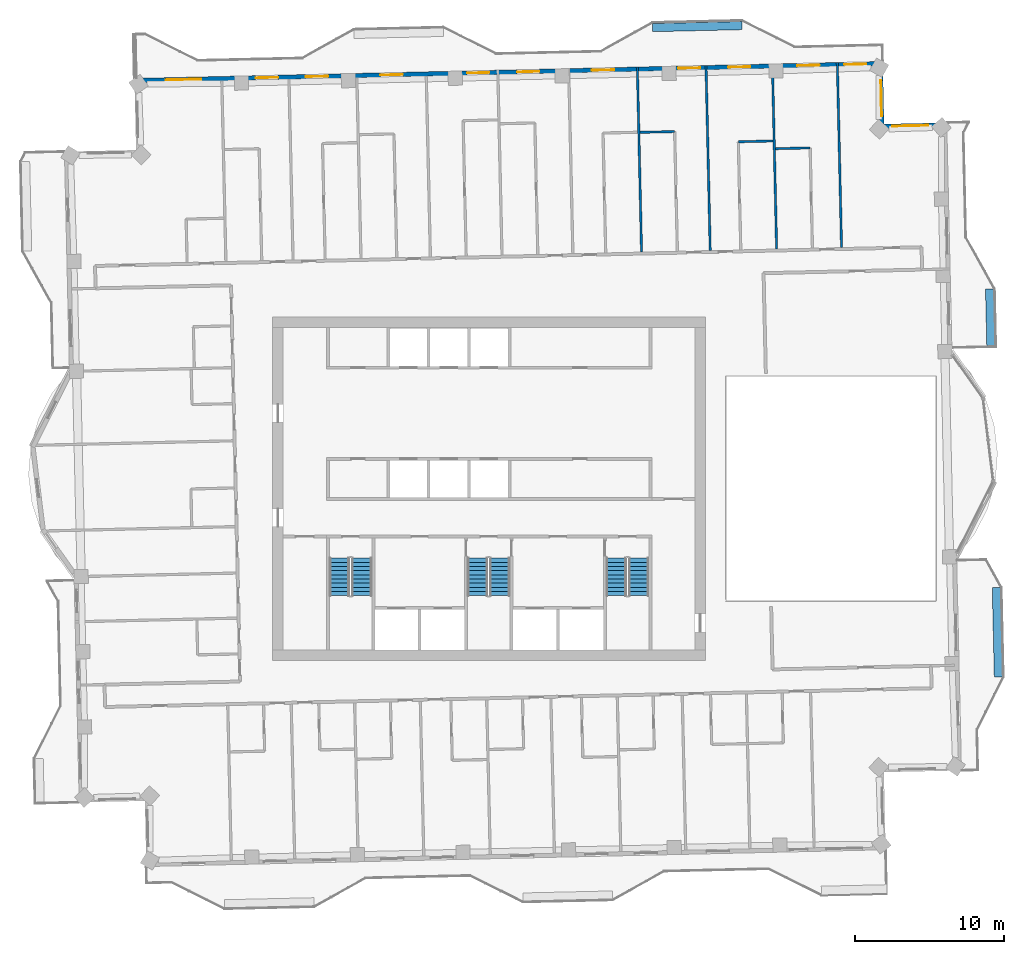
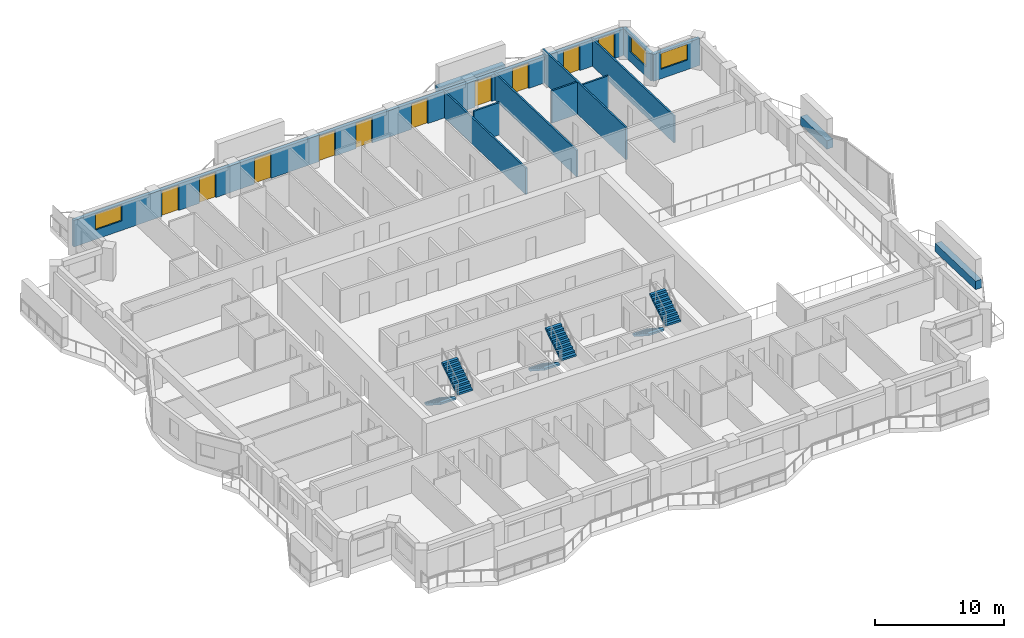
# One storey, part 14 of 18: 13 walls, 10 doors, 6 stair flights, 3 windows, 13 openings, 3 elements without a shape of their own.
"""IFC4 building model written with IfcOpenShell, lengths in metres."""

from ifc_helpers import new_model, si_unit, direction, frame, frame_2d, origin, place, context, subcontext, project, spatial, polyline, rectangle, outline, extrude, material, layer, layer_set, type_object, element, fill, aggregate, save


model = new_model("IFC4")

# Units and contexts
model_context = context("Model", 3, precision=1e-05, world=origin(), true_north=direction((0.0, 1.0)))
body_context = subcontext(model_context, "Body", "Model", "MODEL_VIEW")
ifc_project = project(units=[si_unit("LENGTHUNIT", "METRE"), si_unit("AREAUNIT", "SQUARE_METRE"), si_unit("VOLUMEUNIT", "CUBIC_METRE"), si_unit("PLANEANGLEUNIT", "RADIAN"), si_unit("MASSUNIT", "GRAM", prefix="KILO")], contexts=[model_context])

# Site, building, storey
site_placement = place(None, origin())
site = spatial("IfcSite", under=ifc_project, at=site_placement, CompositionType="ELEMENT")
building_placement = place(site_placement, origin())
building = spatial("IfcBuilding", under=site, at=building_placement, Name="Mangrove Gate Tower", CompositionType="ELEMENT")
storey_placement = place(building_placement, frame((0.0, 0.0, 287.10009765625)))
storey = spatial("IfcBuildingStorey", under=building, at=storey_placement, Name="L73", CompositionType="ELEMENT", Elevation=287.10009765625)

# Wall, opening, window
ifc_material_1 = material(Name="Limestone", Category="masonry")
ifc_layer_1 = layer(ifc_material_1, 0.0400390625, Name="Limestone cladding")
ifc_material_2 = material(Name="Ventilated air gap")
ifc_layer_2 = layer(ifc_material_2, 0.0400390625, Name="Ventilated cavity")
ifc_material_3 = material(Name="Mineral wool insulation")
ifc_layer_3 = layer(ifc_material_3, 0.06005859375, Name="Insulation")
ifc_material_4 = material(Name="Breather membrane")
ifc_layer_4 = layer(ifc_material_4, 0.001953125, Name="Breather membrane")
ifc_material_5 = material(Name="Concrete C20/25 blockwork", Category="masonry")
ifc_layer_5 = layer(ifc_material_5, 0.14990234375, Name="Blockwork backing wall")
ifc_material_6 = material(Name="Gypsum plaster")
ifc_layer_6 = layer(ifc_material_6, 0.008056640625, Name="Internal plaster")
ifc_layer_set_1 = layer_set([ifc_layer_1, ifc_layer_2, ifc_layer_3, ifc_layer_4, ifc_layer_5, ifc_layer_6], Name="External wall 300 limestone cladding")
wall_type_1 = type_object("IfcWallType", Name="External wall 300 limestone cladding", PredefinedType="SOLIDWALL", material=ifc_layer_set_1)
wall_1_placement = place(storey_placement, frame((30.510009765625, 24.362060546875, 0.0), z_axis=(0.0, 0.0, 1.0), x_axis=(-0.999739037152, -0.022844202663, 0.0)))
wall_1 = element("IfcWall", 1, at=wall_1_placement, inside=storey, type_object=wall_type_1, Name="WALL-L73-N3", PredefinedType="SOLIDWALL", context=body_context, shape_type="SweptSolid", body=[
    extrude(rectangle(XDim=4.199951171875, YDim=0.300048828125, at=frame_2d((2.10009765625, 0.0))), origin(), (0.0, 0.0, 1.0), 2.5498046875),
])
opening_1_placement = place(wall_1_placement, frame((1.10009765625, 0.0, 0.89990234375)))
opening_1 = element("IfcOpeningElement", 2, at=opening_1_placement, cuts=wall_1, Name="Opening W2", PredefinedType="OPENING", context=body_context, shape_type="SweptSolid", body=[
    extrude(rectangle(XDim=2.39990234375, YDim=1.5, at=frame_2d((1.199951171875, 0.75))), frame((0.0, 0.159912109375, 0.0), z_axis=(0.0, -1.0, 0.0), x_axis=(1.0, 0.0, 0.0)), (0.0, 0.0, 1.0), 0.320068359375),
])
ifc_material_7 = material(Name="Aluminium frame with double-glazed low-e glass", Category="aluminium")
window_type = type_object("IfcWindowType", Name="Corner room window 2400x1500", PartitioningType="DOUBLE_PANEL_VERTICAL", PredefinedType="WINDOW", material=ifc_material_7)
window_1_placement = place(opening_1_placement, origin())
window_1 = element("IfcWindow", 3, at=window_1_placement, inside=storey, type_object=window_type, Name="WIN-L73-N3-1", OverallHeight=1.5, OverallWidth=2.39990234375, PartitioningType="DOUBLE_PANEL_VERTICAL", PredefinedType="WINDOW", context=body_context, shape_type="SweptSolid", body=[
    extrude(rectangle(XDim=2.39990234375, YDim=1.5, at=frame_2d((1.199951171875, 0.75))), frame((0.0, 0.030029296875, 0.0), z_axis=(0.0, -1.0, 0.0), x_axis=(1.0, 0.0, 0.0)), (0.0, 0.0, 1.0), 0.06005859375),
])
fill(opening_1, window_1)

wall_2_placement = place(storey_placement, frame((26.31103515625, 24.26611328125, 0.0), z_axis=(0.0, 0.0, 1.0), x_axis=(-0.022611811187, 0.999744320311, 0.0)))
wall_2 = element("IfcWall", 4, at=wall_2_placement, inside=storey, type_object=wall_type_1, Name="WALL-L73-E4", PredefinedType="SOLIDWALL", context=body_context, shape_type="SweptSolid", body=[
    extrude(rectangle(XDim=4.199951171875, YDim=0.300048828125, at=frame_2d((2.10009765625, 0.0))), origin(), (0.0, 0.0, 1.0), 2.5498046875),
])
opening_2_placement = place(wall_2_placement, frame((0.68798828125, 0.0, 0.89990234375)))
opening_2 = element("IfcOpeningElement", 5, at=opening_2_placement, cuts=wall_2, Name="Opening W2", PredefinedType="OPENING", context=body_context, shape_type="SweptSolid", body=[
    extrude(rectangle(XDim=2.39990234375, YDim=1.5, at=frame_2d((1.199951171875, 0.75))), frame((0.0, 0.159912109375, 0.0), z_axis=(0.0, -1.0, 0.0), x_axis=(1.0, 0.0, 0.0)), (0.0, 0.0, 1.0), 0.320068359375),
])
window_2_placement = place(opening_2_placement, origin())
window_2 = element("IfcWindow", 6, at=window_2_placement, inside=storey, type_object=window_type, Name="WIN-L73-E4-1", OverallHeight=1.5, OverallWidth=2.39990234375, PartitioningType="DOUBLE_PANEL_VERTICAL", PredefinedType="WINDOW", context=body_context, shape_type="SweptSolid", body=[
    extrude(rectangle(XDim=2.39990234375, YDim=1.5, at=frame_2d((1.199951171875, 0.75))), frame((0.0, 0.030029296875, 0.0), z_axis=(0.0, -1.0, 0.0), x_axis=(1.0, 0.0, 0.0)), (0.0, 0.0, 1.0), 0.06005859375),
])
fill(opening_2, window_2)

# Wall, openings, doors, window
wall_3_placement = place(storey_placement, frame((26.216064453125, 28.465087890625, 0.0), z_axis=(0.0, 0.0, 1.0), x_axis=(-0.999742843677, -0.022677004157, 0.0)))
wall_3 = element("IfcWall", 7, at=wall_3_placement, inside=storey, type_object=wall_type_1, Name="WALL-L73-N5", PredefinedType="SOLIDWALL", context=body_context, shape_type="SweptSolid", body=[
    extrude(rectangle(XDim=49.835693359375, YDim=0.300048828125, at=frame_2d((24.91796875, 0.0))), origin(), (0.0, 0.0, 1.0), 2.5),
])
opening_3_placement = place(wall_3_placement, frame((0.93798828125, 0.0, 0.0)))
opening_3 = element("IfcOpeningElement", 8, at=opening_3_placement, cuts=wall_3, Name="Opening BD1", PredefinedType="OPENING", context=body_context, shape_type="SweptSolid", body=[
    extrude(rectangle(XDim=1.5, YDim=2.39990234375, at=frame_2d((0.75, 1.199951171875))), frame((0.0, 0.159912109375, 0.0), z_axis=(0.0, -1.0, 0.0), x_axis=(1.0, 0.0, 0.0)), (0.0, 0.0, 1.0), 0.320068359375),
])
opening_4_placement = place(wall_3_placement, frame((4.0869140625, 0.0, 0.0)))
opening_4 = element("IfcOpeningElement", 9, at=opening_4_placement, cuts=wall_3, Name="Opening BD1", PredefinedType="OPENING", context=body_context, shape_type="SweptSolid", body=[
    extrude(rectangle(XDim=1.5, YDim=2.39990234375, at=frame_2d((0.75, 1.199951171875))), frame((0.0, 0.159912109375, 0.0), z_axis=(0.0, -1.0, 0.0), x_axis=(1.0, 0.0, 0.0)), (0.0, 0.0, 1.0), 0.320068359375),
])
opening_5_placement = place(wall_3_placement, frame((8.7109375, 0.0, 0.0)))
opening_5 = element("IfcOpeningElement", 10, at=opening_5_placement, cuts=wall_3, Name="Opening BD1", PredefinedType="OPENING", context=body_context, shape_type="SweptSolid", body=[
    extrude(rectangle(XDim=1.5, YDim=2.39990234375, at=frame_2d((0.75, 1.199951171875))), frame((0.0, 0.159912109375, 0.0), z_axis=(0.0, -1.0, 0.0), x_axis=(1.0, 0.0, 0.0)), (0.0, 0.0, 1.0), 0.320068359375),
])
opening_6_placement = place(wall_3_placement, frame((12.06689453125, 0.0, 0.0)))
opening_6 = element("IfcOpeningElement", 11, at=opening_6_placement, cuts=wall_3, Name="Opening BD1", PredefinedType="OPENING", context=body_context, shape_type="SweptSolid", body=[
    extrude(rectangle(XDim=1.5, YDim=2.39990234375, at=frame_2d((0.75, 1.199951171875))), frame((0.0, 0.159912109375, 0.0), z_axis=(0.0, -1.0, 0.0), x_axis=(1.0, 0.0, 0.0)), (0.0, 0.0, 1.0), 0.320068359375),
])
opening_7_placement = place(wall_3_placement, frame((17.8359375, 0.0, 0.0)))
opening_7 = element("IfcOpeningElement", 12, at=opening_7_placement, cuts=wall_3, Name="Opening BD1", PredefinedType="OPENING", context=body_context, shape_type="SweptSolid", body=[
    extrude(rectangle(XDim=1.5, YDim=2.39990234375, at=frame_2d((0.75, 1.199951171875))), frame((0.0, 0.159912109375, 0.0), z_axis=(0.0, -1.0, 0.0), x_axis=(1.0, 0.0, 0.0)), (0.0, 0.0, 1.0), 0.320068359375),
])
opening_8_placement = place(wall_3_placement, frame((22.84912109375, 0.0, 0.0)))
opening_8 = element("IfcOpeningElement", 13, at=opening_8_placement, cuts=wall_3, Name="Opening BD1", PredefinedType="OPENING", context=body_context, shape_type="SweptSolid", body=[
    extrude(rectangle(XDim=1.5, YDim=2.39990234375, at=frame_2d((0.75, 1.199951171875))), frame((0.0, 0.159912109375, 0.0), z_axis=(0.0, -1.0, 0.0), x_axis=(1.0, 0.0, 0.0)), (0.0, 0.0, 1.0), 0.320068359375),
])
opening_9_placement = place(wall_3_placement, frame((26.205078125, 0.0, 0.0)))
opening_9 = element("IfcOpeningElement", 14, at=opening_9_placement, cuts=wall_3, Name="Opening BD1", PredefinedType="OPENING", context=body_context, shape_type="SweptSolid", body=[
    extrude(rectangle(XDim=1.5, YDim=2.39990234375, at=frame_2d((0.75, 1.199951171875))), frame((0.0, 0.159912109375, 0.0), z_axis=(0.0, -1.0, 0.0), x_axis=(1.0, 0.0, 0.0)), (0.0, 0.0, 1.0), 0.320068359375),
])
opening_10_placement = place(wall_3_placement, frame((32.010986328125, 0.0, 0.0)))
opening_10 = element("IfcOpeningElement", 15, at=opening_10_placement, cuts=wall_3, Name="Opening BD1", PredefinedType="OPENING", context=body_context, shape_type="SweptSolid", body=[
    extrude(rectangle(XDim=1.5, YDim=2.39990234375, at=frame_2d((0.75, 1.199951171875))), frame((0.0, 0.159912109375, 0.0), z_axis=(0.0, -1.0, 0.0), x_axis=(1.0, 0.0, 0.0)), (0.0, 0.0, 1.0), 0.320068359375),
])
opening_11_placement = place(wall_3_placement, frame((37.010986328125, 0.0, 0.0)))
opening_11 = element("IfcOpeningElement", 16, at=opening_11_placement, cuts=wall_3, Name="Opening BD1", PredefinedType="OPENING", context=body_context, shape_type="SweptSolid", body=[
    extrude(rectangle(XDim=1.5, YDim=2.39990234375, at=frame_2d((0.75, 1.199951171875))), frame((0.0, 0.159912109375, 0.0), z_axis=(0.0, -1.0, 0.0), x_axis=(1.0, 0.0, 0.0)), (0.0, 0.0, 1.0), 0.320068359375),
])
opening_12_placement = place(wall_3_placement, frame((40.366943359375, 0.0, 0.0)))
opening_12 = element("IfcOpeningElement", 17, at=opening_12_placement, cuts=wall_3, Name="Opening BD1", PredefinedType="OPENING", context=body_context, shape_type="SweptSolid", body=[
    extrude(rectangle(XDim=1.5, YDim=2.39990234375, at=frame_2d((0.75, 1.199951171875))), frame((0.0, 0.159912109375, 0.0), z_axis=(0.0, -1.0, 0.0), x_axis=(1.0, 0.0, 0.0)), (0.0, 0.0, 1.0), 0.320068359375),
])
opening_13_placement = place(wall_3_placement, frame((45.4990234375, 0.0, 0.89990234375)))
opening_13 = element("IfcOpeningElement", 18, at=opening_13_placement, cuts=wall_3, Name="Opening W2", PredefinedType="OPENING", context=body_context, shape_type="SweptSolid", body=[
    extrude(rectangle(XDim=2.39990234375, YDim=1.5, at=frame_2d((1.199951171875, 0.75))), frame((0.0, 0.159912109375, 0.0), z_axis=(0.0, -1.0, 0.0), x_axis=(1.0, 0.0, 0.0)), (0.0, 0.0, 1.0), 0.320068359375),
])
ifc_material_8 = material(Name="Aluminium frame with laminated clear glass", Category="aluminium")
door_type = type_object("IfcDoorType", Name="Balcony sliding door 1500x2400", OperationType="SLIDING_TO_LEFT", PredefinedType="DOOR", material=ifc_material_8)
door_1_placement = place(opening_3_placement, origin())
door_1 = element("IfcDoor", 19, at=door_1_placement, inside=storey, type_object=door_type, Name="DOOR-L73-N5-1", OperationType="SLIDING_TO_LEFT", OverallHeight=2.39990234375, OverallWidth=1.5, PredefinedType="DOOR", context=body_context, shape_type="SweptSolid", body=[
    extrude(rectangle(XDim=1.5, YDim=2.39990234375, at=frame_2d((0.75, 1.199951171875))), frame((0.0, 0.02490234375, 0.0), z_axis=(0.0, -1.0, 0.0), x_axis=(1.0, 0.0, 0.0)), (0.0, 0.0, 1.0), 0.050048828125),
])
fill(opening_3, door_1)
door_2_placement = place(opening_4_placement, origin())
door_2 = element("IfcDoor", 20, at=door_2_placement, inside=storey, type_object=door_type, Name="DOOR-L73-N5-2", OperationType="SLIDING_TO_LEFT", OverallHeight=2.39990234375, OverallWidth=1.5, PredefinedType="DOOR", context=body_context, shape_type="SweptSolid", body=[
    extrude(rectangle(XDim=1.5, YDim=2.39990234375, at=frame_2d((0.75, 1.199951171875))), frame((0.0, 0.02490234375, 0.0), z_axis=(0.0, -1.0, 0.0), x_axis=(1.0, 0.0, 0.0)), (0.0, 0.0, 1.0), 0.050048828125),
])
fill(opening_4, door_2)
door_3_placement = place(opening_5_placement, origin())
door_3 = element("IfcDoor", 21, at=door_3_placement, inside=storey, type_object=door_type, Name="DOOR-L73-N5-3", OperationType="SLIDING_TO_LEFT", OverallHeight=2.39990234375, OverallWidth=1.5, PredefinedType="DOOR", context=body_context, shape_type="SweptSolid", body=[
    extrude(rectangle(XDim=1.5, YDim=2.39990234375, at=frame_2d((0.75, 1.199951171875))), frame((0.0, 0.02490234375, 0.0), z_axis=(0.0, -1.0, 0.0), x_axis=(1.0, 0.0, 0.0)), (0.0, 0.0, 1.0), 0.050048828125),
])
fill(opening_5, door_3)
door_4_placement = place(opening_6_placement, origin())
door_4 = element("IfcDoor", 22, at=door_4_placement, inside=storey, type_object=door_type, Name="DOOR-L73-N5-4", OperationType="SLIDING_TO_LEFT", OverallHeight=2.39990234375, OverallWidth=1.5, PredefinedType="DOOR", context=body_context, shape_type="SweptSolid", body=[
    extrude(rectangle(XDim=1.5, YDim=2.39990234375, at=frame_2d((0.75, 1.199951171875))), frame((0.0, 0.02490234375, 0.0), z_axis=(0.0, -1.0, 0.0), x_axis=(1.0, 0.0, 0.0)), (0.0, 0.0, 1.0), 0.050048828125),
])
fill(opening_6, door_4)
door_5_placement = place(opening_7_placement, origin())
door_5 = element("IfcDoor", 23, at=door_5_placement, inside=storey, type_object=door_type, Name="DOOR-L73-N5-5", OperationType="SLIDING_TO_LEFT", OverallHeight=2.39990234375, OverallWidth=1.5, PredefinedType="DOOR", context=body_context, shape_type="SweptSolid", body=[
    extrude(rectangle(XDim=1.5, YDim=2.39990234375, at=frame_2d((0.75, 1.199951171875))), frame((0.0, 0.02490234375, 0.0), z_axis=(0.0, -1.0, 0.0), x_axis=(1.0, 0.0, 0.0)), (0.0, 0.0, 1.0), 0.050048828125),
])
fill(opening_7, door_5)
door_6_placement = place(opening_8_placement, origin())
door_6 = element("IfcDoor", 24, at=door_6_placement, inside=storey, type_object=door_type, Name="DOOR-L73-N5-6", OperationType="SLIDING_TO_LEFT", OverallHeight=2.39990234375, OverallWidth=1.5, PredefinedType="DOOR", context=body_context, shape_type="SweptSolid", body=[
    extrude(rectangle(XDim=1.5, YDim=2.39990234375, at=frame_2d((0.75, 1.199951171875))), frame((0.0, 0.02490234375, 0.0), z_axis=(0.0, -1.0, 0.0), x_axis=(1.0, 0.0, 0.0)), (0.0, 0.0, 1.0), 0.050048828125),
])
fill(opening_8, door_6)
door_7_placement = place(opening_9_placement, origin())
door_7 = element("IfcDoor", 25, at=door_7_placement, inside=storey, type_object=door_type, Name="DOOR-L73-N5-7", OperationType="SLIDING_TO_LEFT", OverallHeight=2.39990234375, OverallWidth=1.5, PredefinedType="DOOR", context=body_context, shape_type="SweptSolid", body=[
    extrude(rectangle(XDim=1.5, YDim=2.39990234375, at=frame_2d((0.75, 1.199951171875))), frame((0.0, 0.02490234375, 0.0), z_axis=(0.0, -1.0, 0.0), x_axis=(1.0, 0.0, 0.0)), (0.0, 0.0, 1.0), 0.050048828125),
])
fill(opening_9, door_7)
door_8_placement = place(opening_10_placement, origin())
door_8 = element("IfcDoor", 26, at=door_8_placement, inside=storey, type_object=door_type, Name="DOOR-L73-N5-8", OperationType="SLIDING_TO_LEFT", OverallHeight=2.39990234375, OverallWidth=1.5, PredefinedType="DOOR", context=body_context, shape_type="SweptSolid", body=[
    extrude(rectangle(XDim=1.5, YDim=2.39990234375, at=frame_2d((0.75, 1.199951171875))), frame((0.0, 0.02490234375, 0.0), z_axis=(0.0, -1.0, 0.0), x_axis=(1.0, 0.0, 0.0)), (0.0, 0.0, 1.0), 0.050048828125),
])
fill(opening_10, door_8)
door_9_placement = place(opening_11_placement, origin())
door_9 = element("IfcDoor", 27, at=door_9_placement, inside=storey, type_object=door_type, Name="DOOR-L73-N5-9", OperationType="SLIDING_TO_LEFT", OverallHeight=2.39990234375, OverallWidth=1.5, PredefinedType="DOOR", context=body_context, shape_type="SweptSolid", body=[
    extrude(rectangle(XDim=1.5, YDim=2.39990234375, at=frame_2d((0.75, 1.199951171875))), frame((0.0, 0.02490234375, 0.0), z_axis=(0.0, -1.0, 0.0), x_axis=(1.0, 0.0, 0.0)), (0.0, 0.0, 1.0), 0.050048828125),
])
fill(opening_11, door_9)
door_10_placement = place(opening_12_placement, origin())
door_10 = element("IfcDoor", 28, at=door_10_placement, inside=storey, type_object=door_type, Name="DOOR-L73-N5-10", OperationType="SLIDING_TO_LEFT", OverallHeight=2.39990234375, OverallWidth=1.5, PredefinedType="DOOR", context=body_context, shape_type="SweptSolid", body=[
    extrude(rectangle(XDim=1.5, YDim=2.39990234375, at=frame_2d((0.75, 1.199951171875))), frame((0.0, 0.02490234375, 0.0), z_axis=(0.0, -1.0, 0.0), x_axis=(1.0, 0.0, 0.0)), (0.0, 0.0, 1.0), 0.050048828125),
])
fill(opening_12, door_10)
window_3_placement = place(opening_13_placement, origin())
window_3 = element("IfcWindow", 29, at=window_3_placement, inside=storey, type_object=window_type, Name="WIN-L73-N5-11", OverallHeight=1.5, OverallWidth=2.39990234375, PartitioningType="DOUBLE_PANEL_VERTICAL", PredefinedType="WINDOW", context=body_context, shape_type="SweptSolid", body=[
    extrude(rectangle(XDim=2.39990234375, YDim=1.5, at=frame_2d((1.199951171875, 0.75))), frame((0.0, 0.030029296875, 0.0), z_axis=(0.0, -1.0, 0.0), x_axis=(1.0, 0.0, 0.0)), (0.0, 0.0, 1.0), 0.06005859375),
])
fill(opening_13, window_3)

# Walls
ifc_material_9 = material(Name="Gypsum board on steel stud, EI 60", Category="steel")
ifc_layer_7 = layer(ifc_material_9, 0.14990234375)
ifc_layer_set_2 = layer_set([ifc_layer_7], Name="Party wall 150 EI 60")
wall_type_2 = type_object("IfcWallType", Name="Party wall 150 EI 60", PredefinedType="PARTITIONING", material=ifc_layer_set_2)
wall_4_placement = place(storey_placement, frame((10.2099609375, 15.84912109375, 0.0), z_axis=(0.0, 0.0, 1.0), x_axis=(-0.022661475803, 0.999743195783, 0.0)))
element("IfcWall", 30, at=wall_4_placement, inside=storey, type_object=wall_type_2, Name="WALL-L73-071", PredefinedType="PARTITIONING", context=body_context, shape_type="SweptSolid", body=[
    extrude(rectangle(XDim=12.400146484375, YDim=0.14990234375, at=frame_2d((6.2001953125, 0.0))), origin(), (0.0, 0.0, 1.0), 2.5),
])
wall_5_placement = place(storey_placement, frame((14.80908203125, 15.952880859375, 0.0), z_axis=(0.0, 0.0, 1.0), x_axis=(-0.022661029756, 0.999743205894, 0.0)))
element("IfcWall", 31, at=wall_5_placement, inside=storey, type_object=wall_type_2, Name="WALL-L73-073", PredefinedType="PARTITIONING", context=body_context, shape_type="SweptSolid", body=[
    extrude(rectangle(XDim=12.400390625, YDim=0.14990234375, at=frame_2d((6.2001953125, 0.0))), origin(), (0.0, 0.0, 1.0), 2.5),
])
wall_6_placement = place(storey_placement, frame((19.258056640625, 16.053955078125, 0.0), z_axis=(0.0, 0.0, 1.0), x_axis=(-0.022740189192, 0.999741408463, 0.0)))
element("IfcWall", 32, at=wall_6_placement, inside=storey, type_object=wall_type_2, Name="WALL-L73-075", PredefinedType="PARTITIONING", context=body_context, shape_type="SweptSolid", body=[
    extrude(rectangle(XDim=12.400146484375, YDim=0.14990234375, at=frame_2d((6.2001953125, 0.0))), origin(), (0.0, 0.0, 1.0), 3.0498046875),
])
wall_7_placement = place(storey_placement, frame((23.60693359375, 16.153076171875, 0.0), z_axis=(0.0, 0.0, 1.0), x_axis=(-0.022740189192, 0.999741408463, 0.0)))
element("IfcWall", 33, at=wall_7_placement, inside=storey, type_object=wall_type_2, Name="WALL-L73-077", PredefinedType="PARTITIONING", context=body_context, shape_type="SweptSolid", body=[
    extrude(rectangle(XDim=12.400146484375, YDim=0.14990234375, at=frame_2d((6.2001953125, 0.0))), origin(), (0.0, 0.0, 1.0), 2.5498046875),
])
wall_8_placement = place(storey_placement, frame((19.181884765625, 22.77392578125, 0.0), z_axis=(0.0, 0.0, 1.0), x_axis=(0.99974053329, 0.022778632478, 0.0)))
element("IfcWall", 34, at=wall_8_placement, inside=storey, type_object=wall_type_2, Name="WALL-L73-079", PredefinedType="PARTITIONING", context=body_context, shape_type="SweptSolid", body=[
    extrude(rectangle(XDim=2.32568359375, YDim=0.14990234375, at=frame_2d((1.162841796875, 0.0))), origin(), (0.0, 0.0, 1.0), 3.0498046875),
])
for number, where, z_axis, x_axis, name in (
    (35, (16.696044921875, 23.238037109375, 0.0), (0.0, 0.0, 1.0), (0.999740478815, 0.022781023197, 0.0), "WALL-L73-080"),
    (36, (10.10498046875, 23.868896484375, 0.0), (0.0, 0.0, 1.0), (0.999749954681, 0.022361308448, 0.0), "WALL-L73-083"),
):
    element("IfcWall", number, at=place(storey_placement, frame(where, z_axis=z_axis, x_axis=x_axis)), inside=storey, type_object=wall_type_2, Name=name, PredefinedType="PARTITIONING", context=body_context, shape_type="SweptSolid", body=[
        extrude(rectangle(XDim=2.325439453125, YDim=0.14990234375, at=frame_2d((1.16259765625, 0.0))), origin(), (0.0, 0.0, 1.0), 3.0498046875),
    ])
ifc_material_10 = material(Name="Concrete C32/40", Category="concrete")
ifc_layer_8 = layer(ifc_material_10, 0.199951171875, Name="Planter trough wall")
ifc_material_11 = material(Name="Bituminous waterproofing membrane")
ifc_layer_9 = layer(ifc_material_11, 0.0048828125, Name="Waterproofing")
ifc_material_12 = material(Name="Drainage board and gravel")
ifc_layer_10 = layer(ifc_material_12, 0.044921875, Name="Drainage layer")
ifc_material_13 = material(Name="Planting soil")
ifc_layer_11 = layer(ifc_material_13, 0.300048828125, Name="Growing medium")
ifc_layer_set_3 = layer_set([ifc_layer_8, ifc_layer_9, ifc_layer_10, ifc_layer_11], Name="Planter wall 550 C32/40")
wall_type_3 = type_object("IfcWallType", Name="Planter wall 550 C32/40", PredefinedType="USERDEFINED", material=ifc_layer_set_3)
wall_9_placement = place(storey_placement, frame((34.114990234375, -12.615966796875, 0.0), z_axis=(0.0, 0.0, 1.0), x_axis=(-0.022662255828, 0.999743178102, 0.0)))
element("IfcWall", 37, at=wall_9_placement, inside=storey, type_object=wall_type_3, Name="PLANTER L73 E0.1", ObjectType="PLANTER", PredefinedType="USERDEFINED", context=body_context, shape_type="SweptSolid", body=[
    extrude(rectangle(XDim=6.00048828125, YDim=0.550048828125, at=frame_2d((3.000244140625, 0.0))), origin(), (0.0, 0.0, 1.0), 0.7998046875),
])
wall_10_placement = place(storey_placement, frame((33.613037109375, 9.50390625, 0.0), z_axis=(0.0, 0.0, 1.0), x_axis=(-0.022744303924, 0.999741314861, 0.0)))
element("IfcWall", 38, at=wall_10_placement, inside=storey, type_object=wall_type_3, Name="PLANTER L73 E1.1", ObjectType="PLANTER", PredefinedType="USERDEFINED", context=body_context, shape_type="SweptSolid", body=[
    extrude(rectangle(XDim=3.875, YDim=0.550048828125, at=frame_2d((1.9375, 0.0))), origin(), (0.0, 0.0, 1.0), 0.7998046875),
])
wall_11_placement = place(storey_placement, frame((10.93896484375, 30.884033203125, 0.0), z_axis=(0.0, 0.0, 1.0), x_axis=(0.999739392852, 0.022828630714, 0.0)))
element("IfcWall", 39, at=wall_11_placement, inside=storey, type_object=wall_type_3, Name="PLANTER L73 N0.1", ObjectType="PLANTER", PredefinedType="USERDEFINED", context=body_context, shape_type="SweptSolid", body=[
    extrude(rectangle(XDim=5.99951171875, YDim=0.550048828125, at=frame_2d((2.999755859375, 0.0))), origin(), (0.0, 0.0, 1.0), 0.7998046875),
])

# Stair, stair flights
ifc_material_14 = material(Name="Concrete C40/50", Category="concrete")
stair_type = type_object("IfcStairType", Name="Core stair 1350", PredefinedType="HALF_TURN_STAIR", material=ifc_material_14)
stair_1_placement = place(storey_placement, origin())
stair_1 = element("IfcStair", 40, at=stair_1_placement, inside=storey, type_object=stair_type, Name="L73 Stair 1", PredefinedType="HALF_TURN_STAIR")
ifc_material_15 = material(Name="Concrete C40/50", Category="concrete")
stair_flight_type = type_object("IfcStairFlightType", Name="Core stair flight 1350", PredefinedType="STRAIGHT", material=ifc_material_15)
stair_flight_1_placement = place(storey_placement, frame((-10.02490234375, -4.64990234375, 0.0), z_axis=(0.0, 0.0, 1.0), x_axis=(0.0, -1.0, 0.0)))
stair_flight_1 = element("IfcStairFlight", 41, at=stair_flight_1_placement, type_object=stair_flight_type, Name="ST1 flight 1", NumberOfRisers=10, NumberOfTreads=9, PredefinedType="STRAIGHT", RiserHeight=0.18, TreadLength=0.28, context=body_context, shape_type="SweptSolid", body=[
    extrude(outline(polyline([(0.0, 0.0), (0.0, 0.179931640625), (0.280029296875, 0.179931640625), (0.280029296875, 0.360107421875), (0.56005859375, 0.360107421875), (0.56005859375, 0.5400390625), (0.840087890625, 0.5400390625), (0.840087890625, 0.719970703125), (1.1201171875, 0.719970703125), (1.1201171875, 0.89990234375), (1.39990234375, 0.89990234375), (1.39990234375, 1.080078125), (1.679931640625, 1.080078125), (1.679931640625, 1.260009765625), (1.9599609375, 1.260009765625), (1.9599609375, 1.43994140625), (2.239990234375, 1.43994140625), (2.239990234375, 1.6201171875), (2.52001953125, 1.6201171875), (2.52001953125, 1.800048828125), (2.52001953125, 1.44189453125), (0.277099609375, 0.0), (0.0, 0.0)])), frame((0.0, 0.675048828125, 0.0), z_axis=(0.0, -1.0, 0.0), x_axis=(1.0, 0.0, 0.0)), (0.0, 0.0, 1.0), 1.35009765625),
])
stair_flight_2_placement = place(storey_placement, frame((-8.52490234375, -7.169921875, 1.7998046875), z_axis=(0.0, 0.0, 1.0), x_axis=(0.0, 1.0, 0.0)))
stair_flight_2 = element("IfcStairFlight", 42, at=stair_flight_2_placement, type_object=stair_flight_type, Name="ST1 flight 2", NumberOfRisers=10, NumberOfTreads=9, PredefinedType="STRAIGHT", RiserHeight=0.18, TreadLength=0.28, context=body_context, shape_type="SweptSolid", body=[
    extrude(outline(polyline([(0.0, 0.0), (0.0, 0.179931640625), (0.280029296875, 0.179931640625), (0.280029296875, 0.360107421875), (0.56005859375, 0.360107421875), (0.56005859375, 0.5400390625), (0.840087890625, 0.5400390625), (0.840087890625, 0.719970703125), (1.1201171875, 0.719970703125), (1.1201171875, 0.89990234375), (1.39990234375, 0.89990234375), (1.39990234375, 1.080078125), (1.679931640625, 1.080078125), (1.679931640625, 1.260009765625), (1.9599609375, 1.260009765625), (1.9599609375, 1.43994140625), (2.239990234375, 1.43994140625), (2.239990234375, 1.6201171875), (2.52001953125, 1.6201171875), (2.52001953125, 1.800048828125), (2.52001953125, 1.44189453125), (0.277099609375, 0.0), (0.0, 0.0)])), frame((0.0, 0.675048828125, 0.0), z_axis=(0.0, -1.0, 0.0), x_axis=(1.0, 0.0, 0.0)), (0.0, 0.0, 1.0), 1.35009765625),
])
aggregate(stair_1, [stair_flight_1, stair_flight_2])

stair_2_placement = place(storey_placement, origin())
stair_2 = element("IfcStair", 43, at=stair_2_placement, inside=storey, type_object=stair_type, Name="L73 Stair 2", PredefinedType="HALF_TURN_STAIR")
stair_flight_3_placement = place(storey_placement, frame((-0.77490234375, -4.64990234375, 0.0), z_axis=(0.0, 0.0, 1.0), x_axis=(0.0, -1.0, 0.0)))
stair_flight_3 = element("IfcStairFlight", 44, at=stair_flight_3_placement, type_object=stair_flight_type, Name="ST2 flight 1", NumberOfRisers=10, NumberOfTreads=9, PredefinedType="STRAIGHT", RiserHeight=0.18, TreadLength=0.28, context=body_context, shape_type="SweptSolid", body=[
    extrude(outline(polyline([(0.0, 0.0), (0.0, 0.179931640625), (0.280029296875, 0.179931640625), (0.280029296875, 0.360107421875), (0.56005859375, 0.360107421875), (0.56005859375, 0.5400390625), (0.840087890625, 0.5400390625), (0.840087890625, 0.719970703125), (1.1201171875, 0.719970703125), (1.1201171875, 0.89990234375), (1.39990234375, 0.89990234375), (1.39990234375, 1.080078125), (1.679931640625, 1.080078125), (1.679931640625, 1.260009765625), (1.9599609375, 1.260009765625), (1.9599609375, 1.43994140625), (2.239990234375, 1.43994140625), (2.239990234375, 1.6201171875), (2.52001953125, 1.6201171875), (2.52001953125, 1.800048828125), (2.52001953125, 1.44189453125), (0.277099609375, 0.0), (0.0, 0.0)])), frame((0.0, 0.675048828125, 0.0), z_axis=(0.0, -1.0, 0.0), x_axis=(1.0, 0.0, 0.0)), (0.0, 0.0, 1.0), 1.35009765625),
])
stair_flight_4_placement = place(storey_placement, frame((0.72509765625, -7.169921875, 1.7998046875), z_axis=(0.0, 0.0, 1.0), x_axis=(0.0, 1.0, 0.0)))
stair_flight_4 = element("IfcStairFlight", 45, at=stair_flight_4_placement, type_object=stair_flight_type, Name="ST2 flight 2", NumberOfRisers=10, NumberOfTreads=9, PredefinedType="STRAIGHT", RiserHeight=0.18, TreadLength=0.28, context=body_context, shape_type="SweptSolid", body=[
    extrude(outline(polyline([(0.0, 0.0), (0.0, 0.179931640625), (0.280029296875, 0.179931640625), (0.280029296875, 0.360107421875), (0.56005859375, 0.360107421875), (0.56005859375, 0.5400390625), (0.840087890625, 0.5400390625), (0.840087890625, 0.719970703125), (1.1201171875, 0.719970703125), (1.1201171875, 0.89990234375), (1.39990234375, 0.89990234375), (1.39990234375, 1.080078125), (1.679931640625, 1.080078125), (1.679931640625, 1.260009765625), (1.9599609375, 1.260009765625), (1.9599609375, 1.43994140625), (2.239990234375, 1.43994140625), (2.239990234375, 1.6201171875), (2.52001953125, 1.6201171875), (2.52001953125, 1.800048828125), (2.52001953125, 1.44189453125), (0.277099609375, 0.0), (0.0, 0.0)])), frame((0.0, 0.675048828125, 0.0), z_axis=(0.0, -1.0, 0.0), x_axis=(1.0, 0.0, 0.0)), (0.0, 0.0, 1.0), 1.35009765625),
])
aggregate(stair_2, [stair_flight_3, stair_flight_4])

stair_3_placement = place(storey_placement, origin())
stair_3 = element("IfcStair", 46, at=stair_3_placement, inside=storey, type_object=stair_type, Name="L73 Stair 3", PredefinedType="HALF_TURN_STAIR")
stair_flight_5_placement = place(storey_placement, frame((8.52490234375, -4.64990234375, 0.0), z_axis=(0.0, 0.0, 1.0), x_axis=(0.0, -1.0, 0.0)))
stair_flight_5 = element("IfcStairFlight", 47, at=stair_flight_5_placement, type_object=stair_flight_type, Name="ST3 flight 1", NumberOfRisers=10, NumberOfTreads=9, PredefinedType="STRAIGHT", RiserHeight=0.18, TreadLength=0.28, context=body_context, shape_type="SweptSolid", body=[
    extrude(outline(polyline([(0.0, 0.0), (0.0, 0.179931640625), (0.280029296875, 0.179931640625), (0.280029296875, 0.360107421875), (0.56005859375, 0.360107421875), (0.56005859375, 0.5400390625), (0.840087890625, 0.5400390625), (0.840087890625, 0.719970703125), (1.1201171875, 0.719970703125), (1.1201171875, 0.89990234375), (1.39990234375, 0.89990234375), (1.39990234375, 1.080078125), (1.679931640625, 1.080078125), (1.679931640625, 1.260009765625), (1.9599609375, 1.260009765625), (1.9599609375, 1.43994140625), (2.239990234375, 1.43994140625), (2.239990234375, 1.6201171875), (2.52001953125, 1.6201171875), (2.52001953125, 1.800048828125), (2.52001953125, 1.44189453125), (0.277099609375, 0.0), (0.0, 0.0)])), frame((0.0, 0.675048828125, 0.0), z_axis=(0.0, -1.0, 0.0), x_axis=(1.0, 0.0, 0.0)), (0.0, 0.0, 1.0), 1.35009765625),
])
stair_flight_6_placement = place(storey_placement, frame((10.02490234375, -7.169921875, 1.7998046875), z_axis=(0.0, 0.0, 1.0), x_axis=(0.0, 1.0, 0.0)))
stair_flight_6 = element("IfcStairFlight", 48, at=stair_flight_6_placement, type_object=stair_flight_type, Name="ST3 flight 2", NumberOfRisers=10, NumberOfTreads=9, PredefinedType="STRAIGHT", RiserHeight=0.18, TreadLength=0.28, context=body_context, shape_type="SweptSolid", body=[
    extrude(outline(polyline([(0.0, 0.0), (0.0, 0.179931640625), (0.280029296875, 0.179931640625), (0.280029296875, 0.360107421875), (0.56005859375, 0.360107421875), (0.56005859375, 0.5400390625), (0.840087890625, 0.5400390625), (0.840087890625, 0.719970703125), (1.1201171875, 0.719970703125), (1.1201171875, 0.89990234375), (1.39990234375, 0.89990234375), (1.39990234375, 1.080078125), (1.679931640625, 1.080078125), (1.679931640625, 1.260009765625), (1.9599609375, 1.260009765625), (1.9599609375, 1.43994140625), (2.239990234375, 1.43994140625), (2.239990234375, 1.6201171875), (2.52001953125, 1.6201171875), (2.52001953125, 1.800048828125), (2.52001953125, 1.44189453125), (0.277099609375, 0.0), (0.0, 0.0)])), frame((0.0, 0.675048828125, 0.0), z_axis=(0.0, -1.0, 0.0), x_axis=(1.0, 0.0, 0.0)), (0.0, 0.0, 1.0), 1.35009765625),
])
aggregate(stair_3, [stair_flight_5, stair_flight_6])

save(model, "model.ifc")
